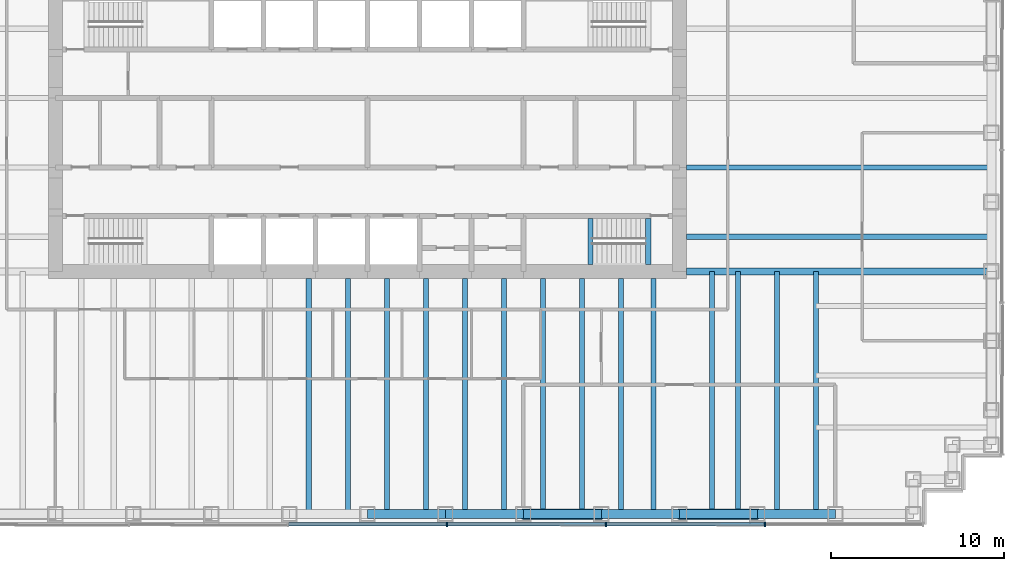
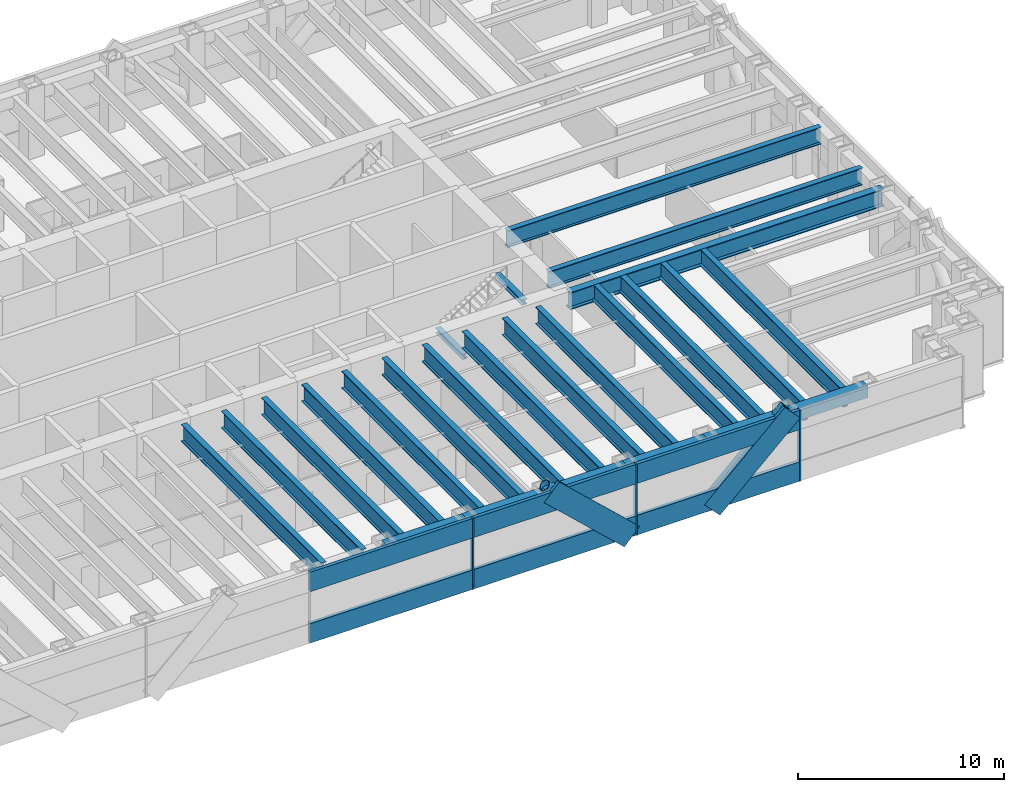
# One storey, part 3 of 12: 25 beams, 13 members, 1 element without a shape of its own.
"""IFC4 building model written with IfcOpenShell, lengths in metres."""

from ifc_helpers import new_model, si_unit, direction, frame, origin, origin_2d, place, context, subcontext, project, spatial, rectangle, hollow_rectangle, hollow_circle, i_section, extrude, material, material_profile, profile_set, type_object, element, aggregate, save


model = new_model("IFC4")

# Units and contexts
model_context = context("Model", 3, precision=1e-05, world=origin(), true_north=direction((0.0, 1.0)))
body_context = subcontext(model_context, "Body", "Model", "MODEL_VIEW")
ifc_project = project(units=[si_unit("LENGTHUNIT", "METRE"), si_unit("AREAUNIT", "SQUARE_METRE"), si_unit("VOLUMEUNIT", "CUBIC_METRE"), si_unit("PLANEANGLEUNIT", "RADIAN"), si_unit("MASSUNIT", "GRAM", prefix="KILO")], contexts=[model_context])

# Site, building, storey
site_placement = place(None, origin())
site = spatial("IfcSite", under=ifc_project, at=site_placement, CompositionType="ELEMENT")
building_placement = place(site_placement, origin())
building = spatial("IfcBuilding", under=site, at=building_placement, Name="Rheinbord Bourse Tower", CompositionType="ELEMENT")
storey_placement = place(building_placement, frame((0.0, 0.0, 261.39990234375)))
storey = spatial("IfcBuildingStorey", under=building, at=storey_placement, Name="L59", CompositionType="ELEMENT", Elevation=261.39990234375)

# Beams
ifc_material_1 = material(Name="Steel S460M", Category="steel")
ifc_material_profile_1 = material_profile(ifc_material_1, hollow_rectangle(XDim=0.5, YDim=0.699951171875, WallThickness=0.0400390625, at=origin_2d()), Name="BOX 700x500x40")
ifc_profile_set_1 = profile_set([ifc_material_profile_1], Name="Steel S460M")
beam_type_1 = type_object("IfcBeamType", Name="BELT CHORD BOX 700x500x40", PredefinedType="SPANDREL", material=ifc_profile_set_1)
for number, where, z_axis, x_axis, name in (
    (1, (36.0, 2.0, 3.60009765625), (1.0, 0.0, 0.0), (0.0, 1.0, 0.0), "Spandrel S-36-S-40.5 under L60"),
    (2, (40.5, 2.0, 3.60009765625), (1.0, 0.0, 0.0), (0.0, 1.0, 0.0), "Spandrel S-40.5-S-45 under L60"),
    (3, (45.0, 2.0, 3.60009765625), (1.0, 0.0, 0.0), (0.0, 1.0, 0.0), "Spandrel S-45-S-49.5 under L60"),
    (4, (49.5, 2.0, 3.60009765625), (1.0, 0.0, 0.0), (0.0, 1.0, 0.0), "Spandrel S-49.5-S-54 under L60"),
    (5, (54.0, 2.0, 3.60009765625), (1.0, 0.0, 0.0), (0.0, 1.0, 0.0), "Spandrel S-54-S-58.5 under L60"),
    (6, (58.5, 2.0, 3.60009765625), (1.0, 0.0, 0.0), (0.0, 1.0, 0.0), "Spandrel S-58.5-S-63 under L60"),
):
    element("IfcBeam", number, at=place(storey_placement, frame(where, z_axis=z_axis, x_axis=x_axis)), inside=storey, type_object=beam_type_1, Name=name, PredefinedType="SPANDREL", context=body_context, shape_type="SweptSolid", body=[
        extrude(hollow_rectangle(XDim=0.5, YDim=0.699951171875, WallThickness=0.0400390625, at=origin_2d()), origin(), (0.0, 0.0, 1.0), 4.5),
    ])

# Curtain wall, members
ifc_material_2 = material(Name="Dark glass and black aluminium", Category="aluminium")
curtain_wall_type = type_object("IfcCurtainWallType", Name="CW5 DARK GLASS CURTAIN WALL", PredefinedType="USERDEFINED", material=ifc_material_2)
curtain_wall_placement = place(storey_placement, origin())
curtain_wall = element("IfcCurtainWall", 7, at=curtain_wall_placement, inside=storey, type_object=curtain_wall_type, Name="Curtain wall CW5 S L59", ObjectType="UNITISED CURTAIN WALL", PredefinedType="USERDEFINED")
ifc_material_3 = material(Name="Black anodised aluminium", Category="aluminium")
ifc_material_profile_2 = material_profile(ifc_material_3, rectangle(XDim=0.199951171875, YDim=1.259033203125, at=origin_2d()), Name="CW5 DIAGONAL MULLION 1259x200")
ifc_profile_set_2 = profile_set([ifc_material_profile_2], Name="Black anodised aluminium")
member_type_1 = type_object("IfcMemberType", Name="CW5 BLACK DIAGONAL MULLION", PredefinedType="USERDEFINED", material=ifc_profile_set_2)
member_1_placement = place(storey_placement, frame((49.5, 1.39990234375, 0.0), z_axis=(-0.731039441158, 0.0, 0.682335207557), x_axis=(0.0, -1.0, 0.0)))
member_1 = element("IfcMember", 8, at=member_1_placement, type_object=member_type_1, Name="CW5 diagonal mullion b", ObjectType="DIAGONAL MULLION", PredefinedType="USERDEFINED", context=body_context, shape_type="SweptSolid", body=[
    extrude(rectangle(XDim=0.199951171875, YDim=1.259033203125, at=origin_2d()), origin(), (0.0, 0.0, 1.0), 6.155517578125),
])
member_2_placement = place(storey_placement, frame((54.0, 1.39990234375, 0.0), z_axis=(0.731039441158, 0.0, 0.682335207557), x_axis=(0.0, 1.0, 0.0)))
member_2 = element("IfcMember", 9, at=member_2_placement, type_object=member_type_1, Name="CW5 diagonal mullion c", ObjectType="DIAGONAL MULLION", PredefinedType="USERDEFINED", context=body_context, shape_type="SweptSolid", body=[
    extrude(rectangle(XDim=0.199951171875, YDim=1.259033203125, at=origin_2d()), origin(), (0.0, 0.0, 1.0), 6.155517578125),
])
ifc_material_4 = material(Name="Black anodised aluminium", Category="aluminium")
ifc_material_profile_3 = material_profile(ifc_material_4, rectangle(XDim=0.25, YDim=0.080078125, at=origin_2d()), Name="CW5 MULLION 80x250")
ifc_profile_set_3 = profile_set([ifc_material_profile_3], Name="Black anodised aluminium")
member_type_2 = type_object("IfcMemberType", Name="CW5 BLACK MULLION", PredefinedType="MULLION", material=ifc_profile_set_3)
member_3_placement = place(storey_placement, frame((40.585693359375, 1.39990234375, 0.0), z_axis=(0.0, 0.0, 1.0), x_axis=(0.0, 1.0, 0.0)))
member_3 = element("IfcMember", 10, at=member_3_placement, type_object=member_type_2, Name="CW5 mullion 5", PredefinedType="MULLION", context=body_context, shape_type="SweptSolid", body=[
    extrude(rectangle(XDim=0.25, YDim=0.080078125, at=origin_2d()), origin(), (0.0, 0.0, 1.0), 4.2001953125),
])
member_4_placement = place(storey_placement, frame((49.757080078125, 1.39990234375, 0.0), z_axis=(0.0, 0.0, 1.0), x_axis=(0.0, 1.0, 0.0)))
member_4 = element("IfcMember", 11, at=member_4_placement, type_object=member_type_2, Name="CW5 mullion 6", PredefinedType="MULLION", context=body_context, shape_type="SweptSolid", body=[
    extrude(rectangle(XDim=0.25, YDim=0.080078125, at=origin_2d()), origin(), (0.0, 0.0, 1.0), 4.2001953125),
])
member_5_placement = place(storey_placement, frame((58.928466796875, 1.39990234375, 0.0), z_axis=(0.0, 0.0, 1.0), x_axis=(0.0, 1.0, 0.0)))
member_5 = element("IfcMember", 12, at=member_5_placement, type_object=member_type_2, Name="CW5 mullion 7", PredefinedType="MULLION", context=body_context, shape_type="SweptSolid", body=[
    extrude(rectangle(XDim=0.25, YDim=0.080078125, at=origin_2d()), origin(), (0.0, 0.0, 1.0), 4.2001953125),
])
ifc_material_5 = material(Name="Black anodised aluminium", Category="aluminium")
ifc_material_profile_4 = material_profile(ifc_material_5, rectangle(XDim=0.199951171875, YDim=1.14990234375, at=origin_2d()), Name="CW5 TRANSOM 1150x200")
ifc_profile_set_4 = profile_set([ifc_material_profile_4], Name="Black anodised aluminium")
member_type_3 = type_object("IfcMemberType", Name="CW5 BLACK TRANSOM", PredefinedType="USERDEFINED", material=ifc_profile_set_4)
member_6_placement = place(storey_placement, frame((31.454345703125, 1.39990234375, 0.5751953125), z_axis=(1.0, 0.0, 0.0), x_axis=(0.0, 1.0, 0.0)))
member_6 = element("IfcMember", 13, at=member_6_placement, type_object=member_type_3, Name="CW5 transom 4.1", ObjectType="TRANSOM", PredefinedType="USERDEFINED", context=body_context, shape_type="SweptSolid", body=[
    extrude(rectangle(XDim=0.199951171875, YDim=1.14990234375, at=origin_2d()), origin(), (0.0, 0.0, 1.0), 9.09130859375),
])
member_7_placement = place(storey_placement, frame((31.454345703125, 1.39990234375, 3.625), z_axis=(1.0, 0.0, 0.0), x_axis=(0.0, 1.0, 0.0)))
member_7 = element("IfcMember", 14, at=member_7_placement, type_object=member_type_3, Name="CW5 transom 4.2", ObjectType="TRANSOM", PredefinedType="USERDEFINED", context=body_context, shape_type="SweptSolid", body=[
    extrude(rectangle(XDim=0.199951171875, YDim=1.14990234375, at=origin_2d()), origin(), (0.0, 0.0, 1.0), 9.09130859375),
])
member_8_placement = place(storey_placement, frame((40.625732421875, 1.39990234375, 0.5751953125), z_axis=(1.0, 0.0, 0.0), x_axis=(0.0, 1.0, 0.0)))
member_8 = element("IfcMember", 15, at=member_8_placement, type_object=member_type_3, Name="CW5 transom 5.1", ObjectType="TRANSOM", PredefinedType="USERDEFINED", context=body_context, shape_type="SweptSolid", body=[
    extrude(rectangle(XDim=0.199951171875, YDim=1.14990234375, at=origin_2d()), origin(), (0.0, 0.0, 1.0), 9.09130859375),
])
member_9_placement = place(storey_placement, frame((40.625732421875, 1.39990234375, 3.625), z_axis=(1.0, 0.0, 0.0), x_axis=(0.0, 1.0, 0.0)))
member_9 = element("IfcMember", 16, at=member_9_placement, type_object=member_type_3, Name="CW5 transom 5.2", ObjectType="TRANSOM", PredefinedType="USERDEFINED", context=body_context, shape_type="SweptSolid", body=[
    extrude(rectangle(XDim=0.199951171875, YDim=1.14990234375, at=origin_2d()), origin(), (0.0, 0.0, 1.0), 9.09130859375),
])
member_10_placement = place(storey_placement, frame((49.797119140625, 1.39990234375, 0.5751953125), z_axis=(1.0, 0.0, 0.0), x_axis=(0.0, 1.0, 0.0)))
member_10 = element("IfcMember", 17, at=member_10_placement, type_object=member_type_3, Name="CW5 transom 6.1", ObjectType="TRANSOM", PredefinedType="USERDEFINED", context=body_context, shape_type="SweptSolid", body=[
    extrude(rectangle(XDim=0.199951171875, YDim=1.14990234375, at=origin_2d()), origin(), (0.0, 0.0, 1.0), 9.091552734375),
])
member_11_placement = place(storey_placement, frame((49.797119140625, 1.39990234375, 3.625), z_axis=(1.0, 0.0, 0.0), x_axis=(0.0, 1.0, 0.0)))
member_11 = element("IfcMember", 18, at=member_11_placement, type_object=member_type_3, Name="CW5 transom 6.2", ObjectType="TRANSOM", PredefinedType="USERDEFINED", context=body_context, shape_type="SweptSolid", body=[
    extrude(rectangle(XDim=0.199951171875, YDim=1.14990234375, at=origin_2d()), origin(), (0.0, 0.0, 1.0), 9.091552734375),
])
aggregate(curtain_wall, [member_3, member_4, member_5, member_6, member_7, member_8, member_9, member_10, member_11, member_1, member_2])

# Beams
ifc_material_6 = material(Name="Steel S460", Category="steel")
ifc_material_profile_5 = material_profile(ifc_material_6, i_section(OverallWidth=0.302001953125, OverallDepth=1.008056640625, WebThickness=0.02099609375, FlangeThickness=0.0400390625, at=origin_2d()), Name="HEM 1000")
ifc_profile_set_5 = profile_set([ifc_material_profile_5], Name="Steel S460")
beam_type_2 = type_object("IfcBeamType", Name="END BEAM HEM 1000", PredefinedType="BEAM", material=ifc_profile_set_5)
for number, where, z_axis, x_axis, name in (
    (19, (54.39990234375, 18.0, 3.446044921875), (1.0, 0.0, 0.0), (0.0, 1.0, 0.0), "End beam east 18 L60"),
    (20, (54.39990234375, 22.0, 3.446044921875), (1.0, 0.0, 0.0), (0.0, 1.0, 0.0), "End beam east 22 L60"),
):
    element("IfcBeam", number, at=place(storey_placement, frame(where, z_axis=z_axis, x_axis=x_axis)), inside=storey, type_object=beam_type_2, Name=name, PredefinedType="BEAM", context=body_context, shape_type="SweptSolid", body=[
        extrude(i_section(OverallWidth=0.302001953125, OverallDepth=1.008056640625, WebThickness=0.02099609375, FlangeThickness=0.0400390625, at=origin_2d()), origin(), (0.0, 0.0, 1.0), 17.60009765625),
    ])
ifc_material_7 = material(Name="Steel S460", Category="steel")
ifc_material_profile_6 = material_profile(ifc_material_7, i_section(OverallWidth=0.302001953125, OverallDepth=1.008056640625, WebThickness=0.02099609375, FlangeThickness=0.0400390625, at=origin_2d()), Name="HEM 1000")
ifc_profile_set_6 = profile_set([ifc_material_profile_6], Name="Steel S460")
beam_type_3 = type_object("IfcBeamType", Name="FLOOR BEAM HEM 1000", PredefinedType="BEAM", material=ifc_profile_set_6)
for number, where, z_axis, x_axis, name in (
    (21, (32.625, 2.0, 3.446044921875), (0.0, 1.0, 0.0), (-1.0, 0.0, 0.0), "Floor beam S-31.5a L60"),
    (22, (34.875, 2.0, 3.446044921875), (0.0, 1.0, 0.0), (-1.0, 0.0, 0.0), "Floor beam S-31.5b L60"),
    (23, (37.125, 2.0, 3.446044921875), (0.0, 1.0, 0.0), (-1.0, 0.0, 0.0), "Floor beam S-36a L60"),
    (24, (39.375, 2.0, 3.446044921875), (0.0, 1.0, 0.0), (-1.0, 0.0, 0.0), "Floor beam S-36b L60"),
    (25, (41.625, 2.0, 3.446044921875), (0.0, 1.0, 0.0), (-1.0, 0.0, 0.0), "Floor beam S-40.5a L60"),
    (26, (43.875, 2.0, 3.446044921875), (0.0, 1.0, 0.0), (-1.0, 0.0, 0.0), "Floor beam S-40.5b L60"),
    (27, (46.125, 2.0, 3.446044921875), (0.0, 1.0, 0.0), (-1.0, 0.0, 0.0), "Floor beam S-45a L60"),
    (28, (48.375, 2.0, 3.446044921875), (0.0, 1.0, 0.0), (-1.0, 0.0, 0.0), "Floor beam S-45b L60"),
    (29, (50.625, 2.0, 3.446044921875), (0.0, 1.0, 0.0), (-1.0, 0.0, 0.0), "Floor beam S-49.5a L60"),
    (30, (52.5, 2.0, 3.446044921875), (0.0, 1.0, 0.0), (-1.0, 0.0, 0.0), "Floor beam S-49.5b L60"),
):
    element("IfcBeam", number, at=place(storey_placement, frame(where, z_axis=z_axis, x_axis=x_axis)), inside=storey, type_object=beam_type_3, Name=name, PredefinedType="BEAM", context=body_context, shape_type="SweptSolid", body=[
        extrude(i_section(OverallWidth=0.302001953125, OverallDepth=1.008056640625, WebThickness=0.02099609375, FlangeThickness=0.0400390625, at=origin_2d()), origin(), (0.0, 0.0, 1.0), 13.60009765625),
    ])
for number, where, z_axis, x_axis, name in (
    (31, (55.875, 2.0, 3.446044921875), (0.0, 1.0, 0.0), (-1.0, 0.0, 0.0), "Floor beam S-54a L60"),
    (32, (57.375, 2.0, 3.446044921875), (0.0, 1.0, 0.0), (-1.0, 0.0, 0.0), "Floor beam S-54b L60"),
    (33, (59.625, 2.0, 3.446044921875), (0.0, 1.0, 0.0), (-1.0, 0.0, 0.0), "Floor beam S-58.5a L60"),
    (34, (61.875, 2.0, 3.446044921875), (0.0, 1.0, 0.0), (-1.0, 0.0, 0.0), "Floor beam S-58.5b L60"),
):
    element("IfcBeam", number, at=place(storey_placement, frame(where, z_axis=z_axis, x_axis=x_axis)), inside=storey, type_object=beam_type_3, Name=name, PredefinedType="BEAM", context=body_context, shape_type="SweptSolid", body=[
        extrude(i_section(OverallWidth=0.302001953125, OverallDepth=1.008056640625, WebThickness=0.02099609375, FlangeThickness=0.0400390625, at=origin_2d()), origin(), (0.0, 0.0, 1.0), 14.0),
    ])
ifc_material_8 = material(Name="Steel S460", Category="steel")
ifc_material_profile_7 = material_profile(ifc_material_8, i_section(OverallWidth=0.404052734375, OverallDepth=1.02001953125, WebThickness=0.025390625, FlangeThickness=0.0458984375, at=origin_2d()), Name="HL 1000 x 483")
ifc_profile_set_7 = profile_set([ifc_material_profile_7], Name="Steel S460")
beam_type_4 = type_object("IfcBeamType", Name="GIRDER HL 1000 x 483", PredefinedType="BEAM", material=ifc_profile_set_7)
beam_placement = place(storey_placement, frame((54.39990234375, 16.0, 3.440185546875), z_axis=(1.0, 0.0, 0.0), x_axis=(0.0, 1.0, 0.0)))
element("IfcBeam", 35, at=beam_placement, inside=storey, type_object=beam_type_4, Name="Girder east 16 L60", PredefinedType="BEAM", context=body_context, shape_type="SweptSolid", body=[
    extrude(i_section(OverallWidth=0.404052734375, OverallDepth=1.02001953125, WebThickness=0.025390625, FlangeThickness=0.0458984375, at=origin_2d()), origin(), (0.0, 0.0, 1.0), 17.60009765625),
])
ifc_material_9 = material(Name="Steel S460", Category="steel")
ifc_material_profile_8 = material_profile(ifc_material_9, i_section(OverallWidth=0.300048828125, OverallDepth=0.300048828125, WebThickness=0.010986328125, FlangeThickness=0.01904296875, at=origin_2d()), Name="HEB 300")
ifc_profile_set_8 = profile_set([ifc_material_profile_8], Name="Steel S460")
beam_type_5 = type_object("IfcBeamType", Name="LANDING TRIMMER HEB 300", PredefinedType="BEAM", material=ifc_profile_set_8)
for number, where, z_axis, x_axis, name in (
    (36, (48.8701171875, 16.39990234375, 1.75), (0.0, 1.0, 0.0), (-1.0, 0.0, 0.0), "Landing trimmer ST3 L59"),
    (37, (52.199951171875, 16.39990234375, 3.800048828125), (0.0, 1.0, 0.0), (-1.0, 0.0, 0.0), "Well trimmer ST3 under L60"),
):
    element("IfcBeam", number, at=place(storey_placement, frame(where, z_axis=z_axis, x_axis=x_axis)), inside=storey, type_object=beam_type_5, Name=name, PredefinedType="BEAM", context=body_context, shape_type="SweptSolid", body=[
        extrude(i_section(OverallWidth=0.300048828125, OverallDepth=0.300048828125, WebThickness=0.010986328125, FlangeThickness=0.01904296875, at=origin_2d()), origin(), (0.0, 0.0, 1.0), 2.650146484375),
    ])

# Members
ifc_material_10 = material(Name="Steel S460", Category="steel")
ifc_material_profile_9 = material_profile(ifc_material_10, hollow_circle(Radius=0.304931640625, WallThickness=0.0400390625, at=origin_2d()), Name="CHS 610x40")
ifc_profile_set_9 = profile_set([ifc_material_profile_9], Name="Steel S460")
member_type_4 = type_object("IfcMemberType", Name="MEGABRACE CHS 610x40", PredefinedType="BRACE", material=ifc_profile_set_9)
for number, where, z_axis, x_axis, name in (
    (38, (49.5, 2.0, 0.0), (-0.731039441158, 0.0, 0.682335207557), (0.0, -1.0, 0.0), "Megabrace S face line b L59"),
    (39, (54.0, 2.0, 0.0), (0.731039441158, 0.0, 0.682335207557), (0.0, 1.0, 0.0), "Megabrace S face line c L59"),
):
    element("IfcMember", number, at=place(storey_placement, frame(where, z_axis=z_axis, x_axis=x_axis)), inside=storey, type_object=member_type_4, Name=name, PredefinedType="BRACE", context=body_context, shape_type="SweptSolid", body=[
        extrude(hollow_circle(Radius=0.304931640625, WallThickness=0.0400390625, at=origin_2d()), origin(), (0.0, 0.0, 1.0), 6.155517578125),
    ])

save(model, "model.ifc")
